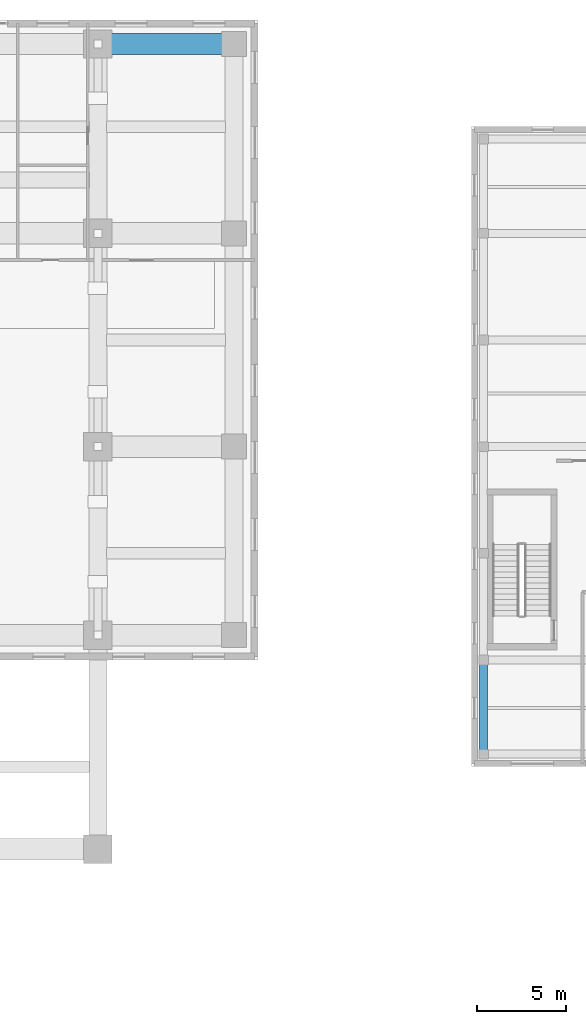
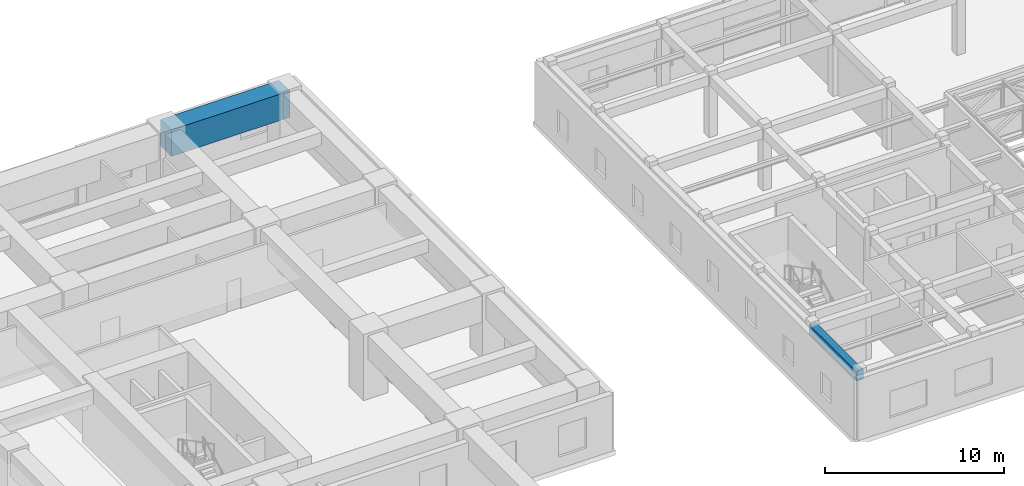
# One storey, part 9 of 33: 2 beams.
"""IFC4 building model written with IfcOpenShell, lengths in metres."""

from ifc_helpers import new_model, si_unit, direction, frame, origin, origin_2d, place, context, subcontext, project, spatial, rectangle, extrude, source, transform, mapped, material, material_profile, profile_set, type_object, element, save


model = new_model("IFC4")

# Units and contexts
model_context = context("Model", 3, precision=1e-05, world=origin(), true_north=direction((0.0, 1.0)))
body_context = subcontext(model_context, "Body", "Model", "MODEL_VIEW")
ifc_project = project(units=[si_unit("LENGTHUNIT", "METRE"), si_unit("AREAUNIT", "SQUARE_METRE"), si_unit("VOLUMEUNIT", "CUBIC_METRE"), si_unit("PLANEANGLEUNIT", "RADIAN"), si_unit("MASSUNIT", "GRAM", prefix="KILO")], contexts=[model_context])

# Site, building, storey
site_placement = place(None, origin())
site = spatial("IfcSite", under=ifc_project, at=site_placement, CompositionType="ELEMENT")
building_placement = place(site_placement, origin())
building = spatial("IfcBuilding", under=site, at=building_placement, Name="Khoralis Quay Care Tower", CompositionType="ELEMENT")
storey_placement = place(building_placement, frame((0.0, 0.0, 18.0)))
storey = spatial("IfcBuildingStorey", under=building, at=storey_placement, Name="L04", CompositionType="ELEMENT", Elevation=18.0)

# Beams
ifc_material_1 = material(Name="Concrete C40/50", Category="concrete")
ifc_material_profile_1 = material_profile(ifc_material_1, rectangle(XDim=0.449951171875, YDim=0.64990234375, at=origin_2d()), Name="Concrete C40/50")
ifc_profile_set_1 = profile_set([ifc_material_profile_1], Name="Concrete C40/50")
beam_type_1 = type_object("IfcBeamType", Name="BM-RC450X650", PredefinedType="BEAM", material=ifc_profile_set_1)
shared_shape_1 = source(origin(), body_context, "Body", "SweptSolid", [
    extrude(rectangle(XDim=0.449951171875, YDim=0.64990234375, at=origin_2d()), origin(), (0.0, 0.0, 1.0), 5.300048828125),
])
beam_1_placement = place(storey_placement, frame((68.699951171875, 6.699951171875, 3.864990234375), z_axis=(0.0, 1.0, 0.0), x_axis=(-1.0, 0.0, 0.0)))
element("IfcBeam", 1, at=beam_1_placement, inside=storey, type_object=beam_type_1, Name="BM-SCY-L04-24", PredefinedType="BEAM", context=body_context, shape_type="MappedRepresentation", body=[
    mapped(shared_shape_1, transform((0.0, 0.0, 0.0), scale=1.0)),
])
ifc_material_2 = material(Name="Concrete C80/95", Category="concrete")
ifc_material_profile_2 = material_profile(ifc_material_2, rectangle(XDim=1.199951171875, YDim=1.800048828125, at=origin_2d()), Name="Concrete C80/95")
ifc_profile_set_2 = profile_set([ifc_material_profile_2], Name="Concrete C80/95")
beam_type_2 = type_object("IfcBeamType", Name="TG-RC1200X1800", PredefinedType="BEAM", material=ifc_profile_set_2)
shared_shape_2 = source(origin(), body_context, "Body", "SweptSolid", [
    extrude(rectangle(XDim=1.199951171875, YDim=1.800048828125, at=origin_2d()), origin(), (0.0, 0.0, 1.0), 7.64990234375),
])
beam_2_placement = place(storey_placement, frame((47.0, 46.64990234375, 3.419921875), z_axis=(1.0, 0.0, 0.0), x_axis=(0.0, 1.0, 0.0)))
element("IfcBeam", 2, at=beam_2_placement, inside=storey, type_object=beam_type_2, Name="L04 Transfer girder BM-PODX-L04-23", PredefinedType="BEAM", context=body_context, shape_type="MappedRepresentation", body=[
    mapped(shared_shape_2, transform((0.0, 0.0, 0.0), scale=1.0)),
])

save(model, "model.ifc")
